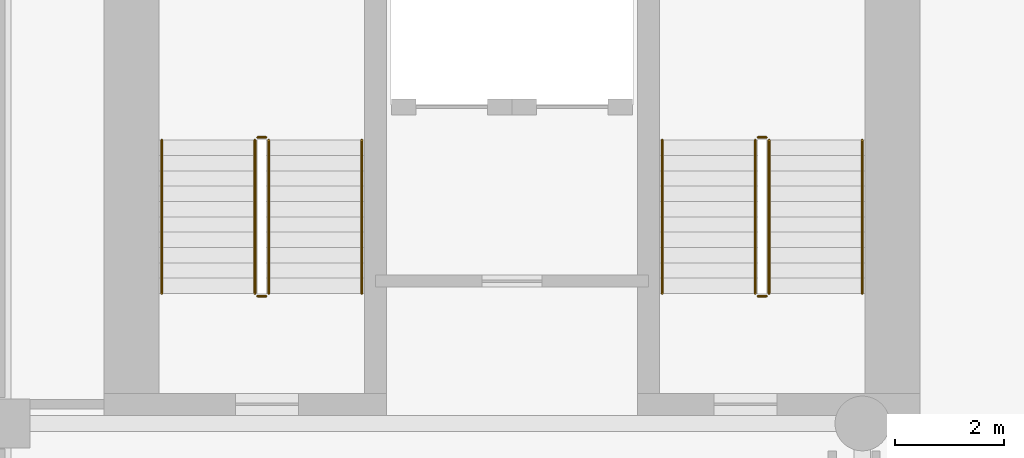
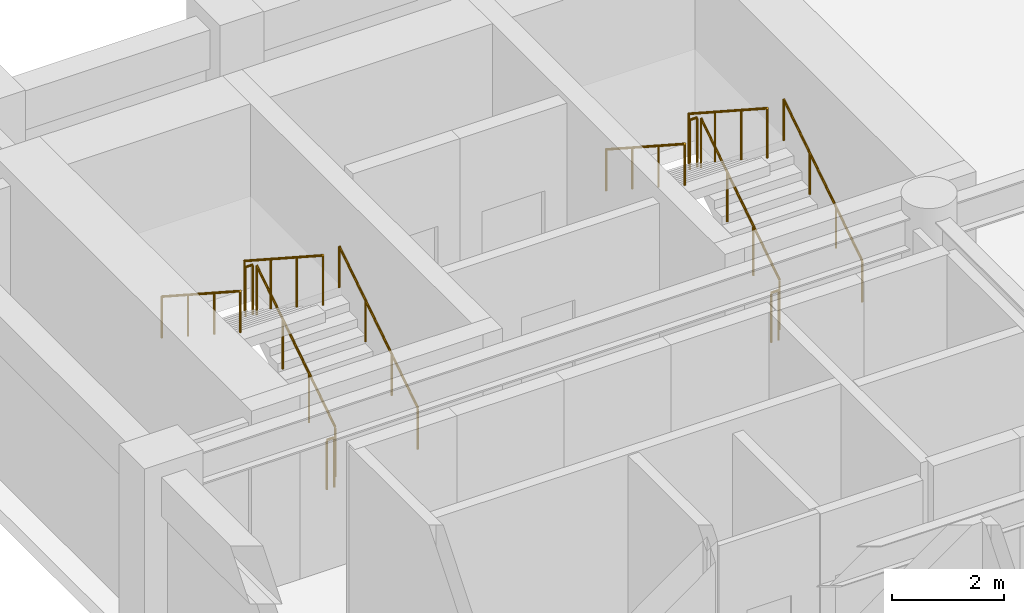
# One storey, part 7 of 8: 12 railings.
"""IFC4 building model written with IfcOpenShell, lengths in metres."""

import ifcopenshell
import ifcopenshell.guid

model = None  # the IFC model being written
_history = None  # IfcOwnerHistory: only IFC2X3 demands one
_inside = {}  # id of a spatial element -> (the spatial element, [elements in it])
_under = {}  # id of a project, library or spatial element -> (it, [spatial elements below it])
_declared = {}  # id of a project -> (the project, [libraries it declares])
_typed = {}  # id of a type object -> (the type object, [elements of that type])
_made_of = {}  # id of a material, layer set ... -> (it, [elements and type objects made of it])


def new_model(schema):
    """Start an empty IFC model of exactly this schema.

    Asked for "IFC4X3", IfcOpenShell would pick the latest addendum, in which some entities
    have other attributes; the version numbers below select the first issue.
    IFC2X3 requires an IfcOwnerHistory on every rooted entity: one is made here for all.
    """
    global model, _history
    if schema == "IFC4X3":
        model = ifcopenshell.file(schema_version=(4, 3, 0, 0))
    else:
        model = ifcopenshell.file(schema=schema)
    _inside.clear()
    _under.clear()
    _declared.clear()
    _typed.clear()
    _made_of.clear()
    _history = None
    if model.schema == "IFC2X3":
        org = make("IfcOrganization", Name="unknown")
        user = make(
            "IfcPersonAndOrganization",
            ThePerson=make("IfcPerson", FamilyName="unknown"),
            TheOrganization=org,
        )
        app = make(
            "IfcApplication",
            ApplicationDeveloper=org,
            Version="unknown",
            ApplicationFullName="unknown",
            ApplicationIdentifier="unknown",
        )
        _history = make(
            "IfcOwnerHistory",
            OwningUser=user,
            OwningApplication=app,
            ChangeAction="ADDED",
            CreationDate=0,
        )
    return model


def make(cls, **values):
    """One entity of the class cls with the attributes given. An attribute that is None is left unset."""
    return model.create_entity(
        cls, **{name: value for name, value in values.items() if value is not None}
    )


def rooted(cls, **values):
    """An entity with a GlobalId (a new one), such as an element, a storey or a relation."""
    return make(cls, GlobalId=ifcopenshell.guid.new(), OwnerHistory=_history, **values)


def si_unit(unit_type, name, prefix=None):
    """IfcSIUnit, for example si_unit("LENGTHUNIT", "METRE", prefix="MILLI")."""
    return make("IfcSIUnit", UnitType=unit_type, Prefix=prefix, Name=name)


def assignment(units):
    """IfcUnitAssignment: the units of a project."""
    return None if units is None else make("IfcUnitAssignment", Units=units)


def point(xyz):
    """IfcCartesianPoint."""
    return None if xyz is None else make("IfcCartesianPoint", Coordinates=xyz)


def direction(xyz):
    """IfcDirection."""
    return None if xyz is None else make("IfcDirection", DirectionRatios=xyz)


def frame(location, z_axis=None, x_axis=None):
    """IfcAxis2Placement3D, a coordinate frame: its origin and axes. An axis left out is left unset."""
    return make(
        "IfcAxis2Placement3D",
        Location=point(location),
        Axis=direction(z_axis),
        RefDirection=direction(x_axis),
    )


def frame_2d(location, x_axis=None):
    """IfcAxis2Placement2D, a coordinate frame in the plane: its origin and x axis."""
    return make(
        "IfcAxis2Placement2D", Location=point(location), RefDirection=direction(x_axis)
    )


def origin():
    """The frame at (0, 0, 0) with its axes left unset."""
    return frame((0.0, 0.0, 0.0))


def origin_2d():
    """The frame at (0, 0) in the plane with its x axis left unset."""
    return frame_2d((0.0, 0.0))


def place(relative_to, where):
    """IfcLocalPlacement: puts the frame where relative to a parent placement (None: the world)."""
    return make(
        "IfcLocalPlacement", PlacementRelTo=relative_to, RelativePlacement=where
    )


def context(
    kind, dimensions, precision=None, world=None, true_north=None, identifier=None
):
    """IfcGeometricRepresentationContext, for example the 3D "Model" context."""
    return make(
        "IfcGeometricRepresentationContext",
        ContextIdentifier=identifier,
        ContextType=kind,
        CoordinateSpaceDimension=dimensions,
        Precision=precision,
        WorldCoordinateSystem=world,
        TrueNorth=true_north,
    )


def subcontext(parent, identifier, kind, view, scale=None):
    """IfcGeometricRepresentationSubContext, for example "Body" below "Model"."""
    return make(
        "IfcGeometricRepresentationSubContext",
        ContextIdentifier=identifier,
        ContextType=kind,
        ParentContext=parent,
        TargetScale=scale,
        TargetView=view,
    )


def project(units=None, contexts=None):
    """IfcProject with its units and contexts."""
    return rooted(
        "IfcProject",
        Name="project",
        RepresentationContexts=contexts,
        UnitsInContext=assignment(units),
    )


def spatial(cls, under=None, at=None, **own):
    """A site, building, storey or space (cls), placed at a placement, below another one or the project."""
    s = rooted(cls, ObjectPlacement=at, **own)
    if under is not None:
        _under.setdefault(under.id(), (under, []))[1].append(s)
    return s


def profile(cls, at=None, kind="AREA", **sizes):
    """A parametric profile (cls). Its sizes go by their IFC names, for example OverallWidth=200.0."""
    return make(cls, ProfileType=kind, Position=at, **sizes)


def circle(**sizes):
    """IfcCircleProfileDef."""
    return profile("IfcCircleProfileDef", **sizes)


def extrude(swept, where, along, depth):
    """IfcExtrudedAreaSolid: the profile swept, set in the frame where, extruded along a direction by depth."""
    return make(
        "IfcExtrudedAreaSolid",
        SweptArea=swept,
        Position=where,
        ExtrudedDirection=direction(along),
        Depth=depth,
    )


def shape(context_of_items, identifier, shape_type, items):
    """IfcShapeRepresentation: the items that make up one representation, for example the "Body"."""
    return make(
        "IfcShapeRepresentation",
        ContextOfItems=context_of_items,
        RepresentationIdentifier=identifier,
        RepresentationType=shape_type,
        Items=items,
    )


def material(Name=None, Category=None):
    """IfcMaterial."""
    return make("IfcMaterial", Name=Name, Category=Category)


def made_of(thing, what):
    """Note that an element or type object is made of a material, layer set ...; save() writes the relation."""
    if what is not None:
        _made_of.setdefault(what.id(), (what, []))[1].append(thing)
    return thing


def type_object(cls, material=None, **own):
    """A type object (cls), such as IfcWallType, which elements share."""
    return made_of(rooted(cls, **own), material)


def element(
    cls,
    number,
    at=None,
    inside=None,
    cuts=None,
    type_object=None,
    material=None,
    context=None,
    identifier="Body",
    shape_type=None,
    held_by="IfcProductDefinitionShape",
    body=None,
    shapes=None,
    **own,
):
    """One element of the class cls, such as IfcWall. Its Tag is "e" and its number.

    at: its placement. inside: the storey or other place that contains it. cuts: it is an
    opening in that element (IfcRelVoidsElement). A single representation is given by context,
    identifier, shape_type and body (its items); several are given by shapes. held_by: the class
    of the entity that holds the representations. save() writes the other relations.
    """
    e = rooted(cls, Tag="e%d" % number, ObjectPlacement=at, **own)
    if body is not None:
        shapes = [shape(context, identifier, shape_type, body)]
    if shapes is not None:
        e.Representation = make(held_by, Representations=shapes)
    if inside is not None:
        _inside.setdefault(inside.id(), (inside, []))[1].append(e)
    if cuts is not None:
        rooted(
            "IfcRelVoidsElement", RelatingBuildingElement=cuts, RelatedOpeningElement=e
        )
    if type_object is not None:
        _typed.setdefault(type_object.id(), (type_object, []))[1].append(e)
    return made_of(e, material)


def aggregate(whole, parts):
    """IfcRelAggregates: a whole, such as a stair, and the parts it consists of."""
    return rooted("IfcRelAggregates", RelatingObject=whole, RelatedObjects=parts)


def save(model, path):
    """Write the relations noted so far, then the file.

    IfcRelAggregates (storeys below a building ...), IfcRelContainedInSpatialStructure (elements
    in a storey), IfcRelDefinesByType, IfcRelAssociatesMaterial and IfcRelDeclares: one each for
    every whole, place, type object, material and project.
    """
    for whole, parts in _under.values():
        aggregate(whole, parts)
    for where, things in _inside.values():
        rooted(
            "IfcRelContainedInSpatialStructure",
            RelatedElements=things,
            RelatingStructure=where,
        )
    for kind, things in _typed.values():
        rooted("IfcRelDefinesByType", RelatedObjects=things, RelatingType=kind)
    for what, things in _made_of.values():
        rooted("IfcRelAssociatesMaterial", RelatedObjects=things, RelatingMaterial=what)
    for by, libraries in _declared.values():
        rooted("IfcRelDeclares", RelatingContext=by, RelatedDefinitions=libraries)
    model.write(path)


model = new_model("IFC4")

# Units and contexts
model_context = context("Model", 3, precision=1e-05, world=origin(), true_north=direction((0.0, 1.0)))
body_context = subcontext(model_context, "Body", "Model", "MODEL_VIEW")
ifc_project = project(units=[si_unit("LENGTHUNIT", "METRE"), si_unit("AREAUNIT", "SQUARE_METRE"), si_unit("VOLUMEUNIT", "CUBIC_METRE"), si_unit("PLANEANGLEUNIT", "RADIAN"), si_unit("MASSUNIT", "GRAM", prefix="KILO")], contexts=[model_context])

# Site, building, storey
site_placement = place(None, origin())
site = spatial("IfcSite", under=ifc_project, at=site_placement, CompositionType="ELEMENT")
building_placement = place(site_placement, origin())
building = spatial("IfcBuilding", under=site, at=building_placement, Name="Sulina Concourse Tower", CompositionType="ELEMENT")
storey_placement = place(building_placement, frame((0.0, 0.0, 70.60009765625)))
storey = spatial("IfcBuildingStorey", under=building, at=storey_placement, Name="L17", CompositionType="ELEMENT", Elevation=70.60009765625)

# Railings
ifc_material_1 = material(Name="Galvanised steel railing", Category="steel")
railing_type_1 = type_object("IfcRailingType", Name="Core Stair Steel Guardrail 1150mm", PredefinedType="GUARDRAIL", material=ifc_material_1)
railing_1_placement = place(storey_placement, frame((5.554931640625, 36.375, 0.181640625)))
element("IfcRailing", 1, at=railing_1_placement, inside=storey, type_object=railing_type_1, Name="L17 ST-1 stair guard 1", PredefinedType="GUARDRAIL", context=body_context, shape_type="SweptSolid", body=[
    extrude(circle(Radius=0.02392578125, at=origin_2d()), frame((0.0, 0.0, 1.076171875), z_axis=(0.0, 0.838672427954, 0.544636170843), x_axis=(-1.0, 0.0, 0.0)), (0.0, 0.0, 1.0), 3.338623046875),
    extrude(circle(Radius=0.02099609375, at=origin_2d()), origin(), (0.0, 0.0, 1.0), 1.052001953125),
    extrude(circle(Radius=0.02099609375, at=origin_2d()), frame((0.0, 0.933349609375, 0.606201171875)), (0.0, 0.0, 1.0), 1.052001953125),
    extrude(circle(Radius=0.02099609375, at=origin_2d()), frame((0.0, 1.86669921875, 1.212158203125)), (0.0, 0.0, 1.0), 1.052001953125),
    extrude(circle(Radius=0.02099609375, at=origin_2d()), frame((0.0, 2.800048828125, 1.818359375)), (0.0, 0.0, 1.0), 1.052001953125),
])
railing_2_placement = place(storey_placement, frame((5.5048828125, 39.22509765625, 2.0)))
element("IfcRailing", 2, at=railing_2_placement, inside=storey, type_object=railing_type_1, Name="L17 ST-1 stair guard 2", PredefinedType="GUARDRAIL", context=body_context, shape_type="SweptSolid", body=[
    extrude(circle(Radius=0.02392578125, at=origin_2d()), frame((0.0, 0.0, 1.076171875), z_axis=(-1.0, 0.0, 0.0), x_axis=(0.0, -1.0, 0.0)), (0.0, 0.0, 1.0), 0.14990234375),
    extrude(circle(Radius=0.02099609375, at=origin_2d()), origin(), (0.0, 0.0, 1.0), 1.052001953125),
    extrude(circle(Radius=0.02099609375, at=origin_2d()), frame((-0.14990234375, 0.0, 0.0)), (0.0, 0.0, 1.0), 1.052001953125),
])
railing_3_placement = place(storey_placement, frame((5.304931640625, 39.175048828125, 2.181640625)))
element("IfcRailing", 3, at=railing_3_placement, inside=storey, type_object=railing_type_1, Name="L17 ST-1 stair guard 3", PredefinedType="GUARDRAIL", context=body_context, shape_type="SweptSolid", body=[
    extrude(circle(Radius=0.02392578125, at=origin_2d()), frame((0.0, 0.0, 1.076171875), z_axis=(0.0, -0.838672427954, 0.544636170843), x_axis=(1.0, 0.0, 0.0)), (0.0, 0.0, 1.0), 3.338623046875),
    extrude(circle(Radius=0.02099609375, at=origin_2d()), origin(), (0.0, 0.0, 1.0), 1.052001953125),
    extrude(circle(Radius=0.02099609375, at=origin_2d()), frame((0.0, -0.933349609375, 0.606201171875)), (0.0, 0.0, 1.0), 1.052001953125),
    extrude(circle(Radius=0.02099609375, at=origin_2d()), frame((0.0, -1.86669921875, 1.212158203125)), (0.0, 0.0, 1.0), 1.052001953125),
    extrude(circle(Radius=0.02099609375, at=origin_2d()), frame((0.0, -2.800048828125, 1.818359375)), (0.0, 0.0, 1.0), 1.052001953125),
])
railing_4_placement = place(storey_placement, frame((5.5048828125, 36.324951171875, 0.0)))
element("IfcRailing", 4, at=railing_4_placement, inside=storey, type_object=railing_type_1, Name="L17 ST-1 stair guard 4", PredefinedType="GUARDRAIL", context=body_context, shape_type="SweptSolid", body=[
    extrude(circle(Radius=0.02392578125, at=origin_2d()), frame((0.0, 0.0, 1.076171875), z_axis=(-1.0, 0.0, 0.0), x_axis=(0.0, -1.0, 0.0)), (0.0, 0.0, 1.0), 0.14990234375),
    extrude(circle(Radius=0.02099609375, at=origin_2d()), origin(), (0.0, 0.0, 1.0), 1.052001953125),
    extrude(circle(Radius=0.02099609375, at=origin_2d()), frame((-0.14990234375, 0.0, 0.0)), (0.0, 0.0, 1.0), 1.052001953125),
])
railing_5_placement = place(storey_placement, frame((14.695068359375, 36.375, 0.181640625)))
element("IfcRailing", 5, at=railing_5_placement, inside=storey, type_object=railing_type_1, Name="L17 ST-2 stair guard 1", PredefinedType="GUARDRAIL", context=body_context, shape_type="SweptSolid", body=[
    extrude(circle(Radius=0.02392578125, at=origin_2d()), frame((0.0, 0.0, 1.076171875), z_axis=(0.0, 0.838672427954, 0.544636170843), x_axis=(-1.0, 0.0, 0.0)), (0.0, 0.0, 1.0), 3.338623046875),
    extrude(circle(Radius=0.02099609375, at=origin_2d()), origin(), (0.0, 0.0, 1.0), 1.052001953125),
    extrude(circle(Radius=0.02099609375, at=origin_2d()), frame((0.0, 0.933349609375, 0.606201171875)), (0.0, 0.0, 1.0), 1.052001953125),
    extrude(circle(Radius=0.02099609375, at=origin_2d()), frame((0.0, 1.86669921875, 1.212158203125)), (0.0, 0.0, 1.0), 1.052001953125),
    extrude(circle(Radius=0.02099609375, at=origin_2d()), frame((0.0, 2.800048828125, 1.818359375)), (0.0, 0.0, 1.0), 1.052001953125),
])
railing_6_placement = place(storey_placement, frame((14.64501953125, 39.22509765625, 2.0)))
element("IfcRailing", 6, at=railing_6_placement, inside=storey, type_object=railing_type_1, Name="L17 ST-2 stair guard 2", PredefinedType="GUARDRAIL", context=body_context, shape_type="SweptSolid", body=[
    extrude(circle(Radius=0.02392578125, at=origin_2d()), frame((0.0, 0.0, 1.076171875), z_axis=(-1.0, 0.0, 0.0), x_axis=(0.0, -1.0, 0.0)), (0.0, 0.0, 1.0), 0.14990234375),
    extrude(circle(Radius=0.02099609375, at=origin_2d()), origin(), (0.0, 0.0, 1.0), 1.052001953125),
    extrude(circle(Radius=0.02099609375, at=origin_2d()), frame((-0.14990234375, 0.0, 0.0)), (0.0, 0.0, 1.0), 1.052001953125),
])
railing_7_placement = place(storey_placement, frame((14.445068359375, 39.175048828125, 2.181640625)))
element("IfcRailing", 7, at=railing_7_placement, inside=storey, type_object=railing_type_1, Name="L17 ST-2 stair guard 3", PredefinedType="GUARDRAIL", context=body_context, shape_type="SweptSolid", body=[
    extrude(circle(Radius=0.02392578125, at=origin_2d()), frame((0.0, 0.0, 1.076171875), z_axis=(0.0, -0.838672427954, 0.544636170843), x_axis=(1.0, 0.0, 0.0)), (0.0, 0.0, 1.0), 3.338623046875),
    extrude(circle(Radius=0.02099609375, at=origin_2d()), origin(), (0.0, 0.0, 1.0), 1.052001953125),
    extrude(circle(Radius=0.02099609375, at=origin_2d()), frame((0.0, -0.933349609375, 0.606201171875)), (0.0, 0.0, 1.0), 1.052001953125),
    extrude(circle(Radius=0.02099609375, at=origin_2d()), frame((0.0, -1.86669921875, 1.212158203125)), (0.0, 0.0, 1.0), 1.052001953125),
    extrude(circle(Radius=0.02099609375, at=origin_2d()), frame((0.0, -2.800048828125, 1.818359375)), (0.0, 0.0, 1.0), 1.052001953125),
])
railing_8_placement = place(storey_placement, frame((14.64501953125, 36.324951171875, 0.0)))
element("IfcRailing", 8, at=railing_8_placement, inside=storey, type_object=railing_type_1, Name="L17 ST-2 stair guard 4", PredefinedType="GUARDRAIL", context=body_context, shape_type="SweptSolid", body=[
    extrude(circle(Radius=0.02392578125, at=origin_2d()), frame((0.0, 0.0, 1.076171875), z_axis=(-1.0, 0.0, 0.0), x_axis=(0.0, -1.0, 0.0)), (0.0, 0.0, 1.0), 0.14990234375),
    extrude(circle(Radius=0.02099609375, at=origin_2d()), origin(), (0.0, 0.0, 1.0), 1.052001953125),
    extrude(circle(Radius=0.02099609375, at=origin_2d()), frame((-0.14990234375, 0.0, 0.0)), (0.0, 0.0, 1.0), 1.052001953125),
])
ifc_material_2 = material(Name="Galvanised steel railing", Category="steel")
railing_type_2 = type_object("IfcRailingType", Name="Stair Wall Steel Handrail 920mm", PredefinedType="HANDRAIL", material=ifc_material_2)
railing_9_placement = place(storey_placement, frame((7.2548828125, 36.375, 0.181640625)))
element("IfcRailing", 9, at=railing_9_placement, inside=storey, type_object=railing_type_2, Name="L17 ST-1 stair handrail 1", PredefinedType="HANDRAIL", context=body_context, shape_type="SweptSolid", body=[
    extrude(circle(Radius=0.02392578125, at=origin_2d()), frame((0.0, 0.0, 0.89599609375), z_axis=(0.0, 0.838672427954, 0.544636170843), x_axis=(-1.0, 0.0, 0.0)), (0.0, 0.0, 1.0), 3.338623046875),
    extrude(circle(Radius=0.02099609375, at=origin_2d()), origin(), (0.0, 0.0, 1.0), 0.871826171875),
    extrude(circle(Radius=0.02099609375, at=origin_2d()), frame((0.0, 0.933349609375, 0.606201171875)), (0.0, 0.0, 1.0), 0.871826171875),
    extrude(circle(Radius=0.02099609375, at=origin_2d()), frame((0.0, 1.86669921875, 1.212158203125)), (0.0, 0.0, 1.0), 0.871826171875),
    extrude(circle(Radius=0.02099609375, at=origin_2d()), frame((0.0, 2.800048828125, 1.818359375)), (0.0, 0.0, 1.0), 0.871826171875),
])
railing_10_placement = place(storey_placement, frame((3.60498046875, 39.175048828125, 2.181640625)))
element("IfcRailing", 10, at=railing_10_placement, inside=storey, type_object=railing_type_2, Name="L17 ST-1 stair handrail 2", PredefinedType="HANDRAIL", context=body_context, shape_type="SweptSolid", body=[
    extrude(circle(Radius=0.02392578125, at=origin_2d()), frame((0.0, 0.0, 0.89599609375), z_axis=(0.0, -0.838672427954, 0.544636170843), x_axis=(1.0, 0.0, 0.0)), (0.0, 0.0, 1.0), 3.338623046875),
    extrude(circle(Radius=0.02099609375, at=origin_2d()), origin(), (0.0, 0.0, 1.0), 0.871826171875),
    extrude(circle(Radius=0.02099609375, at=origin_2d()), frame((0.0, -0.933349609375, 0.606201171875)), (0.0, 0.0, 1.0), 0.871826171875),
    extrude(circle(Radius=0.02099609375, at=origin_2d()), frame((0.0, -1.86669921875, 1.212158203125)), (0.0, 0.0, 1.0), 0.871826171875),
    extrude(circle(Radius=0.02099609375, at=origin_2d()), frame((0.0, -2.800048828125, 1.818359375)), (0.0, 0.0, 1.0), 0.871826171875),
])
railing_11_placement = place(storey_placement, frame((16.39501953125, 36.375, 0.181640625)))
element("IfcRailing", 11, at=railing_11_placement, inside=storey, type_object=railing_type_2, Name="L17 ST-2 stair handrail 1", PredefinedType="HANDRAIL", context=body_context, shape_type="SweptSolid", body=[
    extrude(circle(Radius=0.02392578125, at=origin_2d()), frame((0.0, 0.0, 0.89599609375), z_axis=(0.0, 0.838672427954, 0.544636170843), x_axis=(-1.0, 0.0, 0.0)), (0.0, 0.0, 1.0), 3.338623046875),
    extrude(circle(Radius=0.02099609375, at=origin_2d()), origin(), (0.0, 0.0, 1.0), 0.871826171875),
    extrude(circle(Radius=0.02099609375, at=origin_2d()), frame((0.0, 0.933349609375, 0.606201171875)), (0.0, 0.0, 1.0), 0.871826171875),
    extrude(circle(Radius=0.02099609375, at=origin_2d()), frame((0.0, 1.86669921875, 1.212158203125)), (0.0, 0.0, 1.0), 0.871826171875),
    extrude(circle(Radius=0.02099609375, at=origin_2d()), frame((0.0, 2.800048828125, 1.818359375)), (0.0, 0.0, 1.0), 0.871826171875),
])
railing_12_placement = place(storey_placement, frame((12.7451171875, 39.175048828125, 2.181640625)))
element("IfcRailing", 12, at=railing_12_placement, inside=storey, type_object=railing_type_2, Name="L17 ST-2 stair handrail 2", PredefinedType="HANDRAIL", context=body_context, shape_type="SweptSolid", body=[
    extrude(circle(Radius=0.02392578125, at=origin_2d()), frame((0.0, 0.0, 0.89599609375), z_axis=(0.0, -0.838672427954, 0.544636170843), x_axis=(1.0, 0.0, 0.0)), (0.0, 0.0, 1.0), 3.338623046875),
    extrude(circle(Radius=0.02099609375, at=origin_2d()), origin(), (0.0, 0.0, 1.0), 0.871826171875),
    extrude(circle(Radius=0.02099609375, at=origin_2d()), frame((0.0, -0.933349609375, 0.606201171875)), (0.0, 0.0, 1.0), 0.871826171875),
    extrude(circle(Radius=0.02099609375, at=origin_2d()), frame((0.0, -1.86669921875, 1.212158203125)), (0.0, 0.0, 1.0), 0.871826171875),
    extrude(circle(Radius=0.02099609375, at=origin_2d()), frame((0.0, -2.800048828125, 1.818359375)), (0.0, 0.0, 1.0), 0.871826171875),
])

save(model, "model.ifc")
